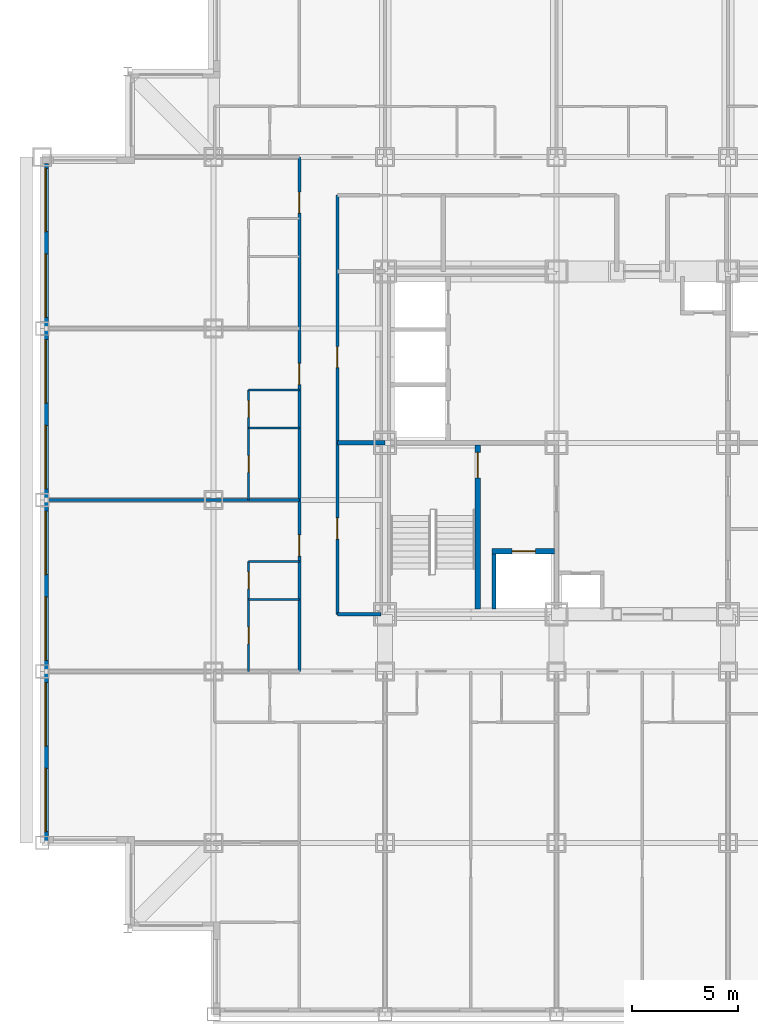
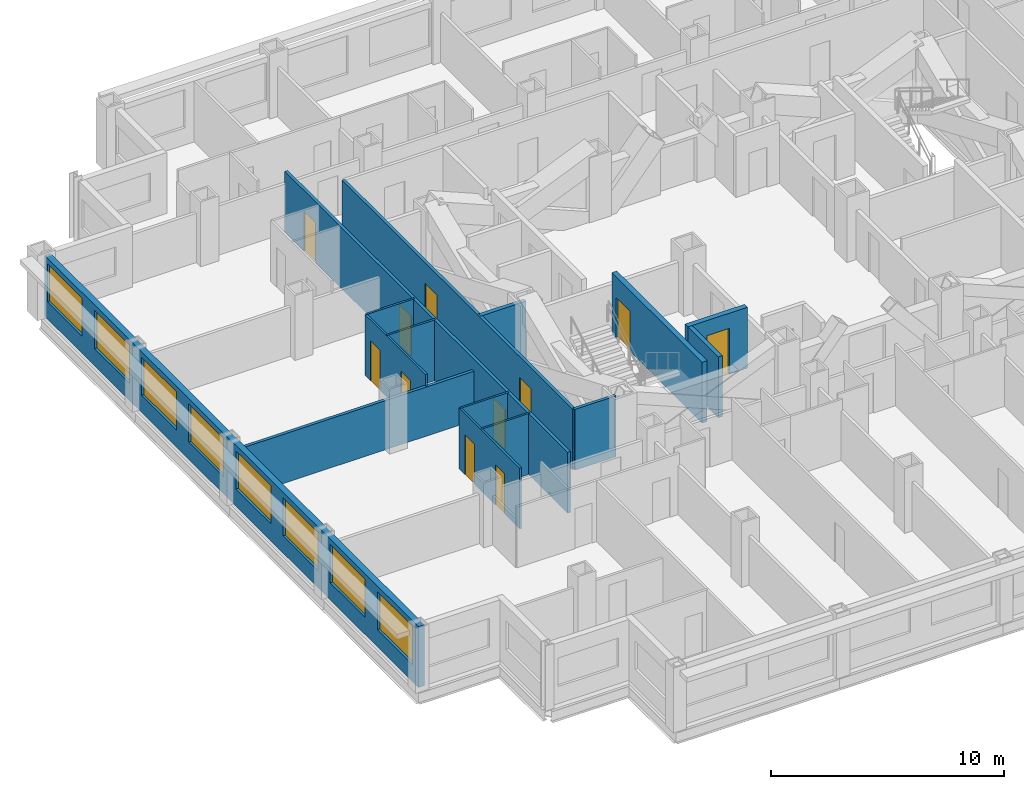
# One storey, part 5 of 12: 15 walls, 11 doors, 8 windows, 19 openings.
"""IFC4 building model written with IfcOpenShell, lengths in metres."""

from ifc_helpers import new_model, si_unit, direction, frame, frame_2d, origin, place, context, subcontext, project, spatial, rectangle, extrude, material, layer, layer_set, type_object, element, fill, save


model = new_model("IFC4")

# Units and contexts
model_context = context("Model", 3, precision=1e-05, world=origin(), true_north=direction((0.0, 1.0)))
body_context = subcontext(model_context, "Body", "Model", "MODEL_VIEW")
ifc_project = project(units=[si_unit("LENGTHUNIT", "METRE"), si_unit("AREAUNIT", "SQUARE_METRE"), si_unit("VOLUMEUNIT", "CUBIC_METRE"), si_unit("PLANEANGLEUNIT", "RADIAN"), si_unit("MASSUNIT", "GRAM", prefix="KILO")], contexts=[model_context])

# Site, building, storey
site_placement = place(None, origin())
site = spatial("IfcSite", under=ifc_project, at=site_placement, CompositionType="ELEMENT")
building_placement = place(site_placement, origin())
building = spatial("IfcBuilding", under=site, at=building_placement, Name="Kopane Lantern Tower", CompositionType="ELEMENT")
storey_placement = place(building_placement, frame((0.0, 0.0, 106.800048828125)))
storey = spatial("IfcBuildingStorey", under=building, at=storey_placement, Name="L26", CompositionType="ELEMENT", Elevation=106.800048828125)

# Wall, openings, doors
ifc_material_1 = material(Name="Moisture-resistant board on steel studs", Category="steel")
ifc_layer_1 = layer(ifc_material_1, 0.10009765625)
ifc_layer_set_1 = layer_set([ifc_layer_1], Name="BATHROOM WALL 100")
wall_type_1 = type_object("IfcWallType", Name="BATHROOM WALL 100", PredefinedType="PARTITIONING", material=ifc_layer_set_1)
wall_1_placement = place(storey_placement, frame((9.75, 21.60009765625, 0.0), z_axis=(0.0, 0.0, 1.0), x_axis=(0.0, 1.0, 0.0)))
wall_1 = element("IfcWall", 1, at=wall_1_placement, inside=storey, type_object=wall_type_1, Name="Bathroom Wall 100 L26", PredefinedType="PARTITIONING", context=body_context, shape_type="SweptSolid", body=[
    extrude(rectangle(XDim=5.199951171875, YDim=0.10009765625, at=frame_2d((2.60009765625, 0.0))), origin(), (0.0, 0.0, 1.0), 3.18994140625),
])
opening_1_placement = place(wall_1_placement, frame((1.300048828125, 0.0, 0.0)))
opening_1 = element("IfcOpeningElement", 2, at=opening_1_placement, cuts=wall_1, Name="Opening L26-030", PredefinedType="OPENING", context=body_context, shape_type="SweptSolid", body=[
    extrude(rectangle(XDim=0.800048828125, YDim=2.10009765625, at=frame_2d((0.39990234375, 1.050048828125))), frame((0.0, 0.06005859375, 0.0), z_axis=(0.0, -1.0, 0.0), x_axis=(1.0, 0.0, 0.0)), (0.0, 0.0, 1.0), 0.1201171875),
])
opening_2_placement = place(wall_1_placement, frame((3.89990234375, 0.0, 0.0)))
opening_2 = element("IfcOpeningElement", 3, at=opening_2_placement, cuts=wall_1, Name="Opening L26-031", PredefinedType="OPENING", context=body_context, shape_type="SweptSolid", body=[
    extrude(rectangle(XDim=0.800048828125, YDim=2.10009765625, at=frame_2d((0.39990234375, 1.050048828125))), frame((0.0, 0.06005859375, 0.0), z_axis=(0.0, -1.0, 0.0), x_axis=(1.0, 0.0, 0.0)), (0.0, 0.0, 1.0), 0.1201171875),
])
ifc_material_2 = material(Name="Timber door set", Category="wood")
door_type_1 = type_object("IfcDoorType", Name="DOOR D2 800x2100", OperationType="SINGLE_SWING_LEFT", PredefinedType="DOOR", material=ifc_material_2)
door_1_placement = place(opening_1_placement, origin())
door_1 = element("IfcDoor", 4, at=door_1_placement, inside=storey, type_object=door_type_1, Name="Door L26-030", OperationType="SINGLE_SWING_LEFT", OverallHeight=2.10009765625, OverallWidth=0.800048828125, PredefinedType="DOOR", context=body_context, shape_type="SweptSolid", body=[
    extrude(rectangle(XDim=0.800048828125, YDim=2.10009765625, at=frame_2d((0.39990234375, 1.050048828125))), frame((0.0, 0.02490234375, 0.0), z_axis=(0.0, -1.0, 0.0), x_axis=(1.0, 0.0, 0.0)), (0.0, 0.0, 1.0), 0.050048828125),
])
fill(opening_1, door_1)
door_2_placement = place(opening_2_placement, origin())
door_2 = element("IfcDoor", 5, at=door_2_placement, inside=storey, type_object=door_type_1, Name="Door L26-031", OperationType="SINGLE_SWING_LEFT", OverallHeight=2.10009765625, OverallWidth=0.800048828125, PredefinedType="DOOR", context=body_context, shape_type="SweptSolid", body=[
    extrude(rectangle(XDim=0.800048828125, YDim=2.10009765625, at=frame_2d((0.39990234375, 1.050048828125))), frame((0.0, 0.02490234375, 0.0), z_axis=(0.0, -1.0, 0.0), x_axis=(1.0, 0.0, 0.0)), (0.0, 0.0, 1.0), 0.050048828125),
])
fill(opening_2, door_2)

# Walls
for number, where, z_axis, x_axis, name in (
    (6, (12.14990234375, 25.0, 0.0), (0.0, 0.0, 1.0), (-1.0, 0.0, 0.0), "Bathroom Wall 100 L26"),
    (7, (12.14990234375, 26.800048828125, 0.0), (0.0, 0.0, 1.0), (-1.0, 0.0, 0.0), "Bathroom Wall 100 L26"),
):
    element("IfcWall", number, at=place(storey_placement, frame(where, z_axis=z_axis, x_axis=x_axis)), inside=storey, type_object=wall_type_1, Name=name, PredefinedType="PARTITIONING", context=body_context, shape_type="SweptSolid", body=[
        extrude(rectangle(XDim=2.39990234375, YDim=0.10009765625, at=frame_2d((1.199951171875, 0.0))), origin(), (0.0, 0.0, 1.0), 3.18994140625),
    ])

# Wall, openings, doors
wall_2_placement = place(storey_placement, frame((9.75, 29.699951171875, 0.0), z_axis=(0.0, 0.0, 1.0), x_axis=(0.0, 1.0, 0.0)))
wall_2 = element("IfcWall", 8, at=wall_2_placement, inside=storey, type_object=wall_type_1, Name="Bathroom Wall 100 L26", PredefinedType="PARTITIONING", context=body_context, shape_type="SweptSolid", body=[
    extrude(rectangle(XDim=5.199951171875, YDim=0.10009765625, at=frame_2d((2.60009765625, 0.0))), origin(), (0.0, 0.0, 1.0), 3.18994140625),
])
opening_3_placement = place(wall_2_placement, frame((1.300048828125, 0.0, 0.0)))
opening_3 = element("IfcOpeningElement", 9, at=opening_3_placement, cuts=wall_2, Name="Opening L26-033", PredefinedType="OPENING", context=body_context, shape_type="SweptSolid", body=[
    extrude(rectangle(XDim=0.800048828125, YDim=2.10009765625, at=frame_2d((0.39990234375, 1.050048828125))), frame((0.0, 0.06005859375, 0.0), z_axis=(0.0, -1.0, 0.0), x_axis=(1.0, 0.0, 0.0)), (0.0, 0.0, 1.0), 0.1201171875),
])
opening_4_placement = place(wall_2_placement, frame((3.89990234375, 0.0, 0.0)))
opening_4 = element("IfcOpeningElement", 10, at=opening_4_placement, cuts=wall_2, Name="Opening L26-034", PredefinedType="OPENING", context=body_context, shape_type="SweptSolid", body=[
    extrude(rectangle(XDim=0.800048828125, YDim=2.10009765625, at=frame_2d((0.39990234375, 1.050048828125))), frame((0.0, 0.06005859375, 0.0), z_axis=(0.0, -1.0, 0.0), x_axis=(1.0, 0.0, 0.0)), (0.0, 0.0, 1.0), 0.1201171875),
])
door_3_placement = place(opening_3_placement, origin())
door_3 = element("IfcDoor", 11, at=door_3_placement, inside=storey, type_object=door_type_1, Name="Door L26-033", OperationType="SINGLE_SWING_LEFT", OverallHeight=2.10009765625, OverallWidth=0.800048828125, PredefinedType="DOOR", context=body_context, shape_type="SweptSolid", body=[
    extrude(rectangle(XDim=0.800048828125, YDim=2.10009765625, at=frame_2d((0.39990234375, 1.050048828125))), frame((0.0, 0.02490234375, 0.0), z_axis=(0.0, -1.0, 0.0), x_axis=(1.0, 0.0, 0.0)), (0.0, 0.0, 1.0), 0.050048828125),
])
fill(opening_3, door_3)
door_4_placement = place(opening_4_placement, origin())
door_4 = element("IfcDoor", 12, at=door_4_placement, inside=storey, type_object=door_type_1, Name="Door L26-034", OperationType="SINGLE_SWING_LEFT", OverallHeight=2.10009765625, OverallWidth=0.800048828125, PredefinedType="DOOR", context=body_context, shape_type="SweptSolid", body=[
    extrude(rectangle(XDim=0.800048828125, YDim=2.10009765625, at=frame_2d((0.39990234375, 1.050048828125))), frame((0.0, 0.02490234375, 0.0), z_axis=(0.0, -1.0, 0.0), x_axis=(1.0, 0.0, 0.0)), (0.0, 0.0, 1.0), 0.050048828125),
])
fill(opening_4, door_4)

# Walls
for number, where, z_axis, x_axis, name in (
    (13, (12.14990234375, 33.10009765625, 0.0), (0.0, 0.0, 1.0), (-1.0, 0.0, 0.0), "Bathroom Wall 100 L26"),
    (14, (12.14990234375, 34.89990234375, 0.0), (0.0, 0.0, 1.0), (-1.0, 0.0, 0.0), "Bathroom Wall 100 L26"),
):
    element("IfcWall", number, at=place(storey_placement, frame(where, z_axis=z_axis, x_axis=x_axis)), inside=storey, type_object=wall_type_1, Name=name, PredefinedType="PARTITIONING", context=body_context, shape_type="SweptSolid", body=[
        extrude(rectangle(XDim=2.39990234375, YDim=0.10009765625, at=frame_2d((1.199951171875, 0.0))), origin(), (0.0, 0.0, 1.0), 3.18994140625),
    ])

# Wall, opening, door
ifc_material_3 = material(Name="Gypsum shaft wall EI 120", Category="gypsum")
ifc_layer_2 = layer(ifc_material_3, 0.25)
ifc_layer_set_2 = layer_set([ifc_layer_2], Name="CORE SHAFT WALL 250 EI 120")
wall_type_2 = type_object("IfcWallType", Name="CORE SHAFT WALL 250 EI 120", PredefinedType="SOLIDWALL", material=ifc_layer_set_2)
wall_3_placement = place(storey_placement, frame((20.574951171875, 24.550048828125, 0.0), z_axis=(0.0, 0.0, 1.0), x_axis=(0.0, 1.0, 0.0)))
wall_3 = element("IfcWall", 15, at=wall_3_placement, inside=storey, type_object=wall_type_2, Name="Core shaft wall L26 XST1", PredefinedType="SOLIDWALL", context=body_context, shape_type="SweptSolid", body=[
    extrude(rectangle(XDim=7.75, YDim=0.25, at=frame_2d((3.875, 0.0))), origin(), (0.0, 0.0, 1.0), 3.18994140625),
])
opening_5_placement = place(wall_3_placement, frame((6.199951171875, 0.0, 0.0)))
opening_5 = element("IfcOpeningElement", 16, at=opening_5_placement, cuts=wall_3, Name="Opening 26.SD1", PredefinedType="OPENING", context=body_context, shape_type="SweptSolid", body=[
    extrude(rectangle(XDim=1.199951171875, YDim=2.10009765625, at=frame_2d((0.60009765625, 1.050048828125))), frame((0.0, 0.135009765625, 0.0), z_axis=(0.0, -1.0, 0.0), x_axis=(1.0, 0.0, 0.0)), (0.0, 0.0, 1.0), 0.27001953125),
])
ifc_material_4 = material(Name="Steel door set", Category="steel")
door_type_2 = type_object("IfcDoorType", Name="STAIR DOOR 1200x2100 FD60S", OperationType="SINGLE_SWING_LEFT", PredefinedType="DOOR", material=ifc_material_4)
door_5_placement = place(opening_5_placement, origin())
door_5 = element("IfcDoor", 17, at=door_5_placement, inside=storey, type_object=door_type_2, Name="Stair door ST1 L26", OperationType="SINGLE_SWING_LEFT", OverallHeight=2.10009765625, OverallWidth=1.199951171875, PredefinedType="DOOR", context=body_context, shape_type="SweptSolid", body=[
    extrude(rectangle(XDim=1.199951171875, YDim=2.10009765625, at=frame_2d((0.60009765625, 1.050048828125))), frame((0.0, 0.02490234375, 0.0), z_axis=(0.0, -1.0, 0.0), x_axis=(1.0, 0.0, 0.0)), (0.0, 0.0, 1.0), 0.050048828125),
])
fill(opening_5, door_5)

wall_4_placement = place(storey_placement, frame((21.25, 27.27490234375, 0.0), z_axis=(0.0, 0.0, 1.0), x_axis=(1.0, 0.0, 0.0)))
wall_4 = element("IfcWall", 18, at=wall_4_placement, inside=storey, type_object=wall_type_2, Name="Core shaft wall L26 YLF1", PredefinedType="SOLIDWALL", context=body_context, shape_type="SweptSolid", body=[
    extrude(rectangle(XDim=2.949951171875, YDim=0.25, at=frame_2d((1.47509765625, 0.0))), origin(), (0.0, 0.0, 1.0), 3.18994140625),
])
opening_6_placement = place(wall_4_placement, frame((0.949951171875, 0.0, 0.0)))
opening_6 = element("IfcOpeningElement", 19, at=opening_6_placement, cuts=wall_4, Name="Opening 26.LD-LF1", PredefinedType="OPENING", context=body_context, shape_type="SweptSolid", body=[
    extrude(rectangle(XDim=1.10009765625, YDim=2.39990234375, at=frame_2d((0.550048828125, 1.199951171875))), frame((0.0, 0.135009765625, 0.0), z_axis=(0.0, -1.0, 0.0), x_axis=(1.0, 0.0, 0.0)), (0.0, 0.0, 1.0), 0.27001953125),
])
ifc_material_5 = material(Name="Steel door set", Category="steel")
door_type_3 = type_object("IfcDoorType", Name="LIFT LANDING DOOR 1100x2400 FD60", OperationType="DOUBLE_DOOR_SLIDING", PredefinedType="DOOR", material=ifc_material_5)
door_6_placement = place(opening_6_placement, origin())
door_6 = element("IfcDoor", 20, at=door_6_placement, inside=storey, type_object=door_type_3, Name="Landing door LF1 L26", OperationType="DOUBLE_DOOR_SLIDING", OverallHeight=2.39990234375, OverallWidth=1.10009765625, PredefinedType="DOOR", context=body_context, shape_type="SweptSolid", body=[
    extrude(rectangle(XDim=1.10009765625, YDim=2.39990234375, at=frame_2d((0.550048828125, 1.199951171875))), frame((0.0, 0.02490234375, 0.0), z_axis=(0.0, -1.0, 0.0), x_axis=(1.0, 0.0, 0.0)), (0.0, 0.0, 1.0), 0.050048828125),
])
fill(opening_6, door_6)

# Wall, openings, doors
ifc_material_6 = material(Name="Gypsum board on steel studs", Category="steel")
ifc_layer_3 = layer(ifc_material_6, 0.14990234375)
ifc_layer_set_3 = layer_set([ifc_layer_3], Name="CORRIDOR WALL 150 EI 60")
wall_type_3 = type_object("IfcWallType", Name="CORRIDOR WALL 150 EI 60", PredefinedType="PARTITIONING", material=ifc_layer_set_3)
wall_5_placement = place(storey_placement, frame((12.14990234375, 21.60009765625, 0.0), z_axis=(0.0, 0.0, 1.0), x_axis=(0.0, 1.0, 0.0)))
wall_5 = element("IfcWall", 21, at=wall_5_placement, inside=storey, type_object=wall_type_3, Name="Corridor Wall 150 Ei 60 L26", PredefinedType="PARTITIONING", context=body_context, shape_type="SweptSolid", body=[
    extrude(rectangle(XDim=24.2998046875, YDim=0.14990234375, at=frame_2d((12.14990234375, 0.0))), origin(), (0.0, 0.0, 1.0), 3.18994140625),
])
opening_7_placement = place(wall_5_placement, frame((5.449951171875, 0.0, 0.0)))
opening_7 = element("IfcOpeningElement", 22, at=opening_7_placement, cuts=wall_5, Name="Opening L26-032", PredefinedType="OPENING", context=body_context, shape_type="SweptSolid", body=[
    extrude(rectangle(XDim=1.0, YDim=2.10009765625, at=frame_2d((0.5, 1.050048828125))), frame((0.0, 0.0849609375, 0.0), z_axis=(0.0, -1.0, 0.0), x_axis=(1.0, 0.0, 0.0)), (0.0, 0.0, 1.0), 0.169921875),
])
opening_8_placement = place(wall_5_placement, frame((13.550048828125, 0.0, 0.0)))
opening_8 = element("IfcOpeningElement", 23, at=opening_8_placement, cuts=wall_5, Name="Opening L26-035", PredefinedType="OPENING", context=body_context, shape_type="SweptSolid", body=[
    extrude(rectangle(XDim=1.0, YDim=2.10009765625, at=frame_2d((0.5, 1.050048828125))), frame((0.0, 0.0849609375, 0.0), z_axis=(0.0, -1.0, 0.0), x_axis=(1.0, 0.0, 0.0)), (0.0, 0.0, 1.0), 0.169921875),
])
opening_9_placement = place(wall_5_placement, frame((21.64990234375, 0.0, 0.0)))
opening_9 = element("IfcOpeningElement", 24, at=opening_9_placement, cuts=wall_5, Name="Opening L26-038", PredefinedType="OPENING", context=body_context, shape_type="SweptSolid", body=[
    extrude(rectangle(XDim=1.0, YDim=2.10009765625, at=frame_2d((0.5, 1.050048828125))), frame((0.0, 0.0849609375, 0.0), z_axis=(0.0, -1.0, 0.0), x_axis=(1.0, 0.0, 0.0)), (0.0, 0.0, 1.0), 0.169921875),
])
ifc_material_7 = material(Name="Steel door set", Category="steel")
door_type_4 = type_object("IfcDoorType", Name="DOOR D1 1000x2100 FD30S", OperationType="SINGLE_SWING_LEFT", PredefinedType="DOOR", material=ifc_material_7)
door_7_placement = place(opening_7_placement, origin())
door_7 = element("IfcDoor", 25, at=door_7_placement, inside=storey, type_object=door_type_4, Name="Door L26-032", OperationType="SINGLE_SWING_LEFT", OverallHeight=2.10009765625, OverallWidth=1.0, PredefinedType="DOOR", context=body_context, shape_type="SweptSolid", body=[
    extrude(rectangle(XDim=1.0, YDim=2.10009765625, at=frame_2d((0.5, 1.050048828125))), frame((0.0, 0.02490234375, 0.0), z_axis=(0.0, -1.0, 0.0), x_axis=(1.0, 0.0, 0.0)), (0.0, 0.0, 1.0), 0.050048828125),
])
fill(opening_7, door_7)
door_8_placement = place(opening_8_placement, origin())
door_8 = element("IfcDoor", 26, at=door_8_placement, inside=storey, type_object=door_type_4, Name="Door L26-035", OperationType="SINGLE_SWING_LEFT", OverallHeight=2.10009765625, OverallWidth=1.0, PredefinedType="DOOR", context=body_context, shape_type="SweptSolid", body=[
    extrude(rectangle(XDim=1.0, YDim=2.10009765625, at=frame_2d((0.5, 1.050048828125))), frame((0.0, 0.02490234375, 0.0), z_axis=(0.0, -1.0, 0.0), x_axis=(1.0, 0.0, 0.0)), (0.0, 0.0, 1.0), 0.050048828125),
])
fill(opening_8, door_8)
door_9_placement = place(opening_9_placement, origin())
door_9 = element("IfcDoor", 27, at=door_9_placement, inside=storey, type_object=door_type_4, Name="Door L26-038", OperationType="SINGLE_SWING_LEFT", OverallHeight=2.10009765625, OverallWidth=1.0, PredefinedType="DOOR", context=body_context, shape_type="SweptSolid", body=[
    extrude(rectangle(XDim=1.0, YDim=2.10009765625, at=frame_2d((0.5, 1.050048828125))), frame((0.0, 0.02490234375, 0.0), z_axis=(0.0, -1.0, 0.0), x_axis=(1.0, 0.0, 0.0)), (0.0, 0.0, 1.0), 0.050048828125),
])
fill(opening_9, door_9)

wall_6_placement = place(storey_placement, frame((13.949951171875, 44.10009765625, 0.0), z_axis=(0.0, 0.0, 1.0), x_axis=(0.0, -1.0, 0.0)))
wall_6 = element("IfcWall", 28, at=wall_6_placement, inside=storey, type_object=wall_type_3, Name="Corridor Wall 150 Ei 60 L26", PredefinedType="PARTITIONING", context=body_context, shape_type="SweptSolid", body=[
    extrude(rectangle(XDim=19.800048828125, YDim=0.14990234375, at=frame_2d((9.89990234375, 0.0))), origin(), (0.0, 0.0, 1.0), 3.18994140625),
])
opening_10_placement = place(wall_6_placement, frame((15.25, 0.0, 0.0)))
opening_10 = element("IfcOpeningElement", 29, at=opening_10_placement, cuts=wall_6, Name="Opening L26-001", PredefinedType="OPENING", context=body_context, shape_type="SweptSolid", body=[
    extrude(rectangle(XDim=1.0, YDim=2.10009765625, at=frame_2d((0.5, 1.050048828125))), frame((0.0, 0.0849609375, 0.0), z_axis=(0.0, -1.0, 0.0), x_axis=(1.0, 0.0, 0.0)), (0.0, 0.0, 1.0), 0.169921875),
])
opening_11_placement = place(wall_6_placement, frame((7.14990234375, 0.0, 0.0)))
opening_11 = element("IfcOpeningElement", 30, at=opening_11_placement, cuts=wall_6, Name="Opening L26-002", PredefinedType="OPENING", context=body_context, shape_type="SweptSolid", body=[
    extrude(rectangle(XDim=1.0, YDim=2.10009765625, at=frame_2d((0.5, 1.050048828125))), frame((0.0, 0.0849609375, 0.0), z_axis=(0.0, -1.0, 0.0), x_axis=(1.0, 0.0, 0.0)), (0.0, 0.0, 1.0), 0.169921875),
])
ifc_material_8 = material(Name="Steel door set", Category="steel")
door_type_5 = type_object("IfcDoorType", Name="DOOR D5 1000x2100 FD60", OperationType="SINGLE_SWING_LEFT", PredefinedType="DOOR", material=ifc_material_8)
door_10_placement = place(opening_10_placement, origin())
door_10 = element("IfcDoor", 31, at=door_10_placement, inside=storey, type_object=door_type_5, Name="Door L26-001", OperationType="SINGLE_SWING_RIGHT", OverallHeight=2.10009765625, OverallWidth=1.0, PredefinedType="DOOR", context=body_context, shape_type="SweptSolid", body=[
    extrude(rectangle(XDim=1.0, YDim=2.10009765625, at=frame_2d((0.5, 1.050048828125))), frame((0.0, 0.02490234375, 0.0), z_axis=(0.0, -1.0, 0.0), x_axis=(1.0, 0.0, 0.0)), (0.0, 0.0, 1.0), 0.050048828125),
])
fill(opening_10, door_10)
door_11_placement = place(opening_11_placement, origin())
door_11 = element("IfcDoor", 32, at=door_11_placement, inside=storey, type_object=door_type_5, Name="Door L26-002", OperationType="SINGLE_SWING_LEFT", OverallHeight=2.10009765625, OverallWidth=1.0, PredefinedType="DOOR", context=body_context, shape_type="SweptSolid", body=[
    extrude(rectangle(XDim=1.0, YDim=2.10009765625, at=frame_2d((0.5, 1.050048828125))), frame((0.0, 0.02490234375, 0.0), z_axis=(0.0, -1.0, 0.0), x_axis=(1.0, 0.0, 0.0)), (0.0, 0.0, 1.0), 0.050048828125),
])
fill(opening_11, door_11)

# Walls
wall_7_placement = place(storey_placement, frame((13.949951171875, 24.300048828125, 0.0), z_axis=(0.0, 0.0, 1.0), x_axis=(1.0, 0.0, 0.0)))
element("IfcWall", 33, at=wall_7_placement, inside=storey, type_object=wall_type_3, Name="Corridor Wall 150 Ei 60 L26", PredefinedType="PARTITIONING", context=body_context, shape_type="SweptSolid", body=[
    extrude(rectangle(XDim=2.050048828125, YDim=0.14990234375, at=frame_2d((1.02490234375, 0.0))), origin(), (0.0, 0.0, 1.0), 3.18994140625),
])
ifc_material_9 = material(Name="Gypsum board on steel studs", Category="steel")
ifc_layer_4 = layer(ifc_material_9, 0.14990234375)
ifc_layer_set_4 = layer_set([ifc_layer_4], Name="DEMISING WALL 150 EI 60")
wall_type_4 = type_object("IfcWallType", Name="DEMISING WALL 150 EI 60", PredefinedType="PARTITIONING", material=ifc_layer_set_4)
wall_8_placement = place(storey_placement, frame((12.14990234375, 29.699951171875, 0.0), z_axis=(0.0, 0.0, 1.0), x_axis=(-1.0, 0.0, 0.0)))
element("IfcWall", 34, at=wall_8_placement, inside=storey, type_object=wall_type_4, Name="Demising Wall 150 Ei 60 L26", PredefinedType="PARTITIONING", context=body_context, shape_type="SweptSolid", body=[
    extrude(rectangle(XDim=11.849853515625, YDim=0.14990234375, at=frame_2d((5.9248046875, 0.0))), origin(), (0.0, 0.0, 1.0), 2.57763671875),
])

# Wall, openings, windows
ifc_material_10 = material(Name="Terracotta rainscreen on light steel framing", Category="masonry")
ifc_layer_5 = layer(ifc_material_10, 0.300048828125)
ifc_layer_set_5 = layer_set([ifc_layer_5], Name="EXTERNAL WALL EW1 300 TERRACOTTA")
wall_type_5 = type_object("IfcWallType", Name="EXTERNAL WALL EW1 300 TERRACOTTA", PredefinedType="SOLIDWALL", material=ifc_layer_set_5)
wall_9_placement = place(storey_placement, frame((0.14990234375, 45.60009765625, 0.0), z_axis=(0.0, 0.0, 1.0), x_axis=(0.0, -1.0, 0.0)))
wall_9 = element("IfcWall", 35, at=wall_9_placement, inside=storey, type_object=wall_type_5, Name="External wall W L26", PredefinedType="SOLIDWALL", context=body_context, shape_type="SweptSolid", body=[
    extrude(rectangle(XDim=32.10009765625, YDim=0.300048828125, at=frame_2d((16.050048828125, 0.0))), origin(), (0.0, 0.0, 1.0), 3.18994140625),
])
opening_12_placement = place(wall_9_placement, frame((0.22509765625, 0.0, 0.89990234375)))
opening_12 = element("IfcOpeningElement", 36, at=opening_12_placement, cuts=wall_9, Name="Opening WR300200", PredefinedType="OPENING", context=body_context, shape_type="SweptSolid", body=[
    extrude(rectangle(XDim=3.0, YDim=2.0, at=frame_2d((1.5, 1.0))), frame((0.0, 0.159912109375, 0.0), z_axis=(0.0, -1.0, 0.0), x_axis=(1.0, 0.0, 0.0)), (0.0, 0.0, 1.0), 0.320068359375),
])
opening_13_placement = place(wall_9_placement, frame((4.27490234375, 0.0, 0.89990234375)))
opening_13 = element("IfcOpeningElement", 37, at=opening_13_placement, cuts=wall_9, Name="Opening WR300200", PredefinedType="OPENING", context=body_context, shape_type="SweptSolid", body=[
    extrude(rectangle(XDim=3.0, YDim=2.0, at=frame_2d((1.5, 1.0))), frame((0.0, 0.159912109375, 0.0), z_axis=(0.0, -1.0, 0.0), x_axis=(1.0, 0.0, 0.0)), (0.0, 0.0, 1.0), 0.320068359375),
])
opening_14_placement = place(wall_9_placement, frame((8.324951171875, 0.0, 0.89990234375)))
opening_14 = element("IfcOpeningElement", 38, at=opening_14_placement, cuts=wall_9, Name="Opening WR300200", PredefinedType="OPENING", context=body_context, shape_type="SweptSolid", body=[
    extrude(rectangle(XDim=3.0, YDim=2.0, at=frame_2d((1.5, 1.0))), frame((0.0, 0.159912109375, 0.0), z_axis=(0.0, -1.0, 0.0), x_axis=(1.0, 0.0, 0.0)), (0.0, 0.0, 1.0), 0.320068359375),
])
opening_15_placement = place(wall_9_placement, frame((12.375, 0.0, 0.89990234375)))
opening_15 = element("IfcOpeningElement", 39, at=opening_15_placement, cuts=wall_9, Name="Opening WR300200", PredefinedType="OPENING", context=body_context, shape_type="SweptSolid", body=[
    extrude(rectangle(XDim=3.0, YDim=2.0, at=frame_2d((1.5, 1.0))), frame((0.0, 0.159912109375, 0.0), z_axis=(0.0, -1.0, 0.0), x_axis=(1.0, 0.0, 0.0)), (0.0, 0.0, 1.0), 0.320068359375),
])
opening_16_placement = place(wall_9_placement, frame((16.425048828125, 0.0, 0.89990234375)))
opening_16 = element("IfcOpeningElement", 40, at=opening_16_placement, cuts=wall_9, Name="Opening WR300200", PredefinedType="OPENING", context=body_context, shape_type="SweptSolid", body=[
    extrude(rectangle(XDim=3.0, YDim=2.0, at=frame_2d((1.5, 1.0))), frame((0.0, 0.159912109375, 0.0), z_axis=(0.0, -1.0, 0.0), x_axis=(1.0, 0.0, 0.0)), (0.0, 0.0, 1.0), 0.320068359375),
])
opening_17_placement = place(wall_9_placement, frame((20.47509765625, 0.0, 0.89990234375)))
opening_17 = element("IfcOpeningElement", 41, at=opening_17_placement, cuts=wall_9, Name="Opening WR300200", PredefinedType="OPENING", context=body_context, shape_type="SweptSolid", body=[
    extrude(rectangle(XDim=3.0, YDim=2.0, at=frame_2d((1.5, 1.0))), frame((0.0, 0.159912109375, 0.0), z_axis=(0.0, -1.0, 0.0), x_axis=(1.0, 0.0, 0.0)), (0.0, 0.0, 1.0), 0.320068359375),
])
opening_18_placement = place(wall_9_placement, frame((24.52490234375, 0.0, 0.89990234375)))
opening_18 = element("IfcOpeningElement", 42, at=opening_18_placement, cuts=wall_9, Name="Opening WR300200", PredefinedType="OPENING", context=body_context, shape_type="SweptSolid", body=[
    extrude(rectangle(XDim=3.0, YDim=2.0, at=frame_2d((1.5, 1.0))), frame((0.0, 0.159912109375, 0.0), z_axis=(0.0, -1.0, 0.0), x_axis=(1.0, 0.0, 0.0)), (0.0, 0.0, 1.0), 0.320068359375),
])
opening_19_placement = place(wall_9_placement, frame((28.574951171875, 0.0, 0.89990234375)))
opening_19 = element("IfcOpeningElement", 43, at=opening_19_placement, cuts=wall_9, Name="Opening WR300200", PredefinedType="OPENING", context=body_context, shape_type="SweptSolid", body=[
    extrude(rectangle(XDim=3.0, YDim=2.0, at=frame_2d((1.5, 1.0))), frame((0.0, 0.159912109375, 0.0), z_axis=(0.0, -1.0, 0.0), x_axis=(1.0, 0.0, 0.0)), (0.0, 0.0, 1.0), 0.320068359375),
])
ifc_material_11 = material(Name="Aluminium and clear glass", Category="aluminium")
window_type = type_object("IfcWindowType", Name="RIBBON WINDOW WR300200 3000x2000", PartitioningType="SINGLE_PANEL", PredefinedType="WINDOW", material=ifc_material_11)
window_1_placement = place(opening_12_placement, origin())
window_1 = element("IfcWindow", 44, at=window_1_placement, inside=storey, type_object=window_type, Name="Window W L26", OverallHeight=2.0, OverallWidth=3.0, PartitioningType="SINGLE_PANEL", PredefinedType="WINDOW", context=body_context, shape_type="SweptSolid", body=[
    extrude(rectangle(XDim=3.0, YDim=2.0, at=frame_2d((1.5, 1.0))), frame((0.0, 0.030029296875, 0.0), z_axis=(0.0, -1.0, 0.0), x_axis=(1.0, 0.0, 0.0)), (0.0, 0.0, 1.0), 0.06005859375),
])
fill(opening_12, window_1)
window_2_placement = place(opening_13_placement, origin())
window_2 = element("IfcWindow", 45, at=window_2_placement, inside=storey, type_object=window_type, Name="Window W L26", OverallHeight=2.0, OverallWidth=3.0, PartitioningType="SINGLE_PANEL", PredefinedType="WINDOW", context=body_context, shape_type="SweptSolid", body=[
    extrude(rectangle(XDim=3.0, YDim=2.0, at=frame_2d((1.5, 1.0))), frame((0.0, 0.030029296875, 0.0), z_axis=(0.0, -1.0, 0.0), x_axis=(1.0, 0.0, 0.0)), (0.0, 0.0, 1.0), 0.06005859375),
])
fill(opening_13, window_2)
window_3_placement = place(opening_14_placement, origin())
window_3 = element("IfcWindow", 46, at=window_3_placement, inside=storey, type_object=window_type, Name="Window W L26", OverallHeight=2.0, OverallWidth=3.0, PartitioningType="SINGLE_PANEL", PredefinedType="WINDOW", context=body_context, shape_type="SweptSolid", body=[
    extrude(rectangle(XDim=3.0, YDim=2.0, at=frame_2d((1.5, 1.0))), frame((0.0, 0.030029296875, 0.0), z_axis=(0.0, -1.0, 0.0), x_axis=(1.0, 0.0, 0.0)), (0.0, 0.0, 1.0), 0.06005859375),
])
fill(opening_14, window_3)
window_4_placement = place(opening_15_placement, origin())
window_4 = element("IfcWindow", 47, at=window_4_placement, inside=storey, type_object=window_type, Name="Window W L26", OverallHeight=2.0, OverallWidth=3.0, PartitioningType="SINGLE_PANEL", PredefinedType="WINDOW", context=body_context, shape_type="SweptSolid", body=[
    extrude(rectangle(XDim=3.0, YDim=2.0, at=frame_2d((1.5, 1.0))), frame((0.0, 0.030029296875, 0.0), z_axis=(0.0, -1.0, 0.0), x_axis=(1.0, 0.0, 0.0)), (0.0, 0.0, 1.0), 0.06005859375),
])
fill(opening_15, window_4)
window_5_placement = place(opening_16_placement, origin())
window_5 = element("IfcWindow", 48, at=window_5_placement, inside=storey, type_object=window_type, Name="Window W L26", OverallHeight=2.0, OverallWidth=3.0, PartitioningType="SINGLE_PANEL", PredefinedType="WINDOW", context=body_context, shape_type="SweptSolid", body=[
    extrude(rectangle(XDim=3.0, YDim=2.0, at=frame_2d((1.5, 1.0))), frame((0.0, 0.030029296875, 0.0), z_axis=(0.0, -1.0, 0.0), x_axis=(1.0, 0.0, 0.0)), (0.0, 0.0, 1.0), 0.06005859375),
])
fill(opening_16, window_5)
window_6_placement = place(opening_17_placement, origin())
window_6 = element("IfcWindow", 49, at=window_6_placement, inside=storey, type_object=window_type, Name="Window W L26", OverallHeight=2.0, OverallWidth=3.0, PartitioningType="SINGLE_PANEL", PredefinedType="WINDOW", context=body_context, shape_type="SweptSolid", body=[
    extrude(rectangle(XDim=3.0, YDim=2.0, at=frame_2d((1.5, 1.0))), frame((0.0, 0.030029296875, 0.0), z_axis=(0.0, -1.0, 0.0), x_axis=(1.0, 0.0, 0.0)), (0.0, 0.0, 1.0), 0.06005859375),
])
fill(opening_17, window_6)
window_7_placement = place(opening_18_placement, origin())
window_7 = element("IfcWindow", 50, at=window_7_placement, inside=storey, type_object=window_type, Name="Window W L26", OverallHeight=2.0, OverallWidth=3.0, PartitioningType="SINGLE_PANEL", PredefinedType="WINDOW", context=body_context, shape_type="SweptSolid", body=[
    extrude(rectangle(XDim=3.0, YDim=2.0, at=frame_2d((1.5, 1.0))), frame((0.0, 0.030029296875, 0.0), z_axis=(0.0, -1.0, 0.0), x_axis=(1.0, 0.0, 0.0)), (0.0, 0.0, 1.0), 0.06005859375),
])
fill(opening_18, window_7)
window_8_placement = place(opening_19_placement, origin())
window_8 = element("IfcWindow", 51, at=window_8_placement, inside=storey, type_object=window_type, Name="Window W L26", OverallHeight=2.0, OverallWidth=3.0, PartitioningType="SINGLE_PANEL", PredefinedType="WINDOW", context=body_context, shape_type="SweptSolid", body=[
    extrude(rectangle(XDim=3.0, YDim=2.0, at=frame_2d((1.5, 1.0))), frame((0.0, 0.030029296875, 0.0), z_axis=(0.0, -1.0, 0.0), x_axis=(1.0, 0.0, 0.0)), (0.0, 0.0, 1.0), 0.06005859375),
])
fill(opening_19, window_8)

# Walls
ifc_material_12 = material(Name="Concrete masonry", Category="masonry")
ifc_layer_6 = layer(ifc_material_12, 0.199951171875)
ifc_layer_set_6 = layer_set([ifc_layer_6], Name="PLANT ROOM WALL 200 EI 120")
wall_type_6 = type_object("IfcWallType", Name="PLANT ROOM WALL 200 EI 120", PredefinedType="SOLIDWALL", material=ifc_layer_set_6)
wall_10_placement = place(storey_placement, frame((13.949951171875, 32.39990234375, 0.0), z_axis=(0.0, 0.0, 1.0), x_axis=(1.0, 0.0, 0.0)))
element("IfcWall", 52, at=wall_10_placement, inside=storey, type_object=wall_type_6, Name="Plant Room Wall 200 Ei 120 L26", PredefinedType="SOLIDWALL", context=body_context, shape_type="SweptSolid", body=[
    extrude(rectangle(XDim=2.25, YDim=0.199951171875, at=frame_2d((1.125, 0.0))), origin(), (0.0, 0.0, 1.0), 3.18994140625),
])
ifc_material_13 = material(Name="Gypsum shaft wall EI 120", Category="gypsum")
ifc_layer_7 = layer(ifc_material_13, 0.199951171875)
ifc_layer_set_7 = layer_set([ifc_layer_7], Name="SHAFT WALL 200 EI 120")
wall_type_7 = type_object("IfcWallType", Name="SHAFT WALL 200 EI 120", PredefinedType="SOLIDWALL", material=ifc_layer_set_7)
wall_11_placement = place(storey_placement, frame((21.35009765625, 24.550048828125, 0.0), z_axis=(0.0, 0.0, 1.0), x_axis=(0.0, 1.0, 0.0)))
element("IfcWall", 53, at=wall_11_placement, inside=storey, type_object=wall_type_7, Name="Core shaft wall L26 XLF1", PredefinedType="SOLIDWALL", context=body_context, shape_type="SweptSolid", body=[
    extrude(rectangle(XDim=2.599853515625, YDim=0.199951171875, at=frame_2d((1.2998046875, 0.0))), origin(), (0.0, 0.0, 1.0), 3.18994140625),
])

save(model, "model.ifc")
